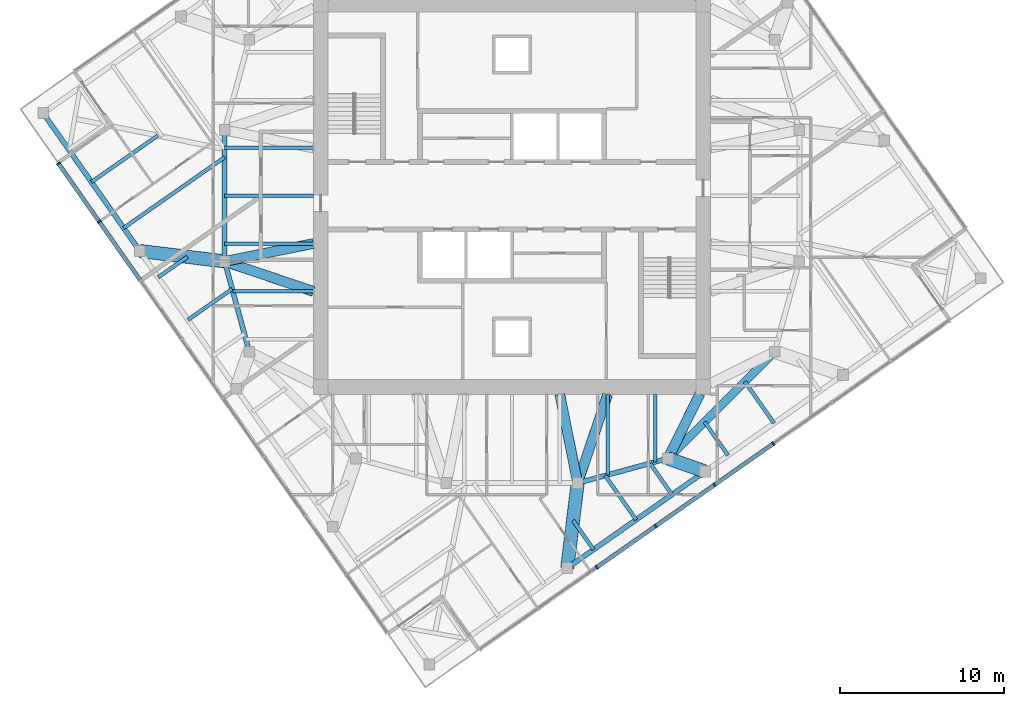
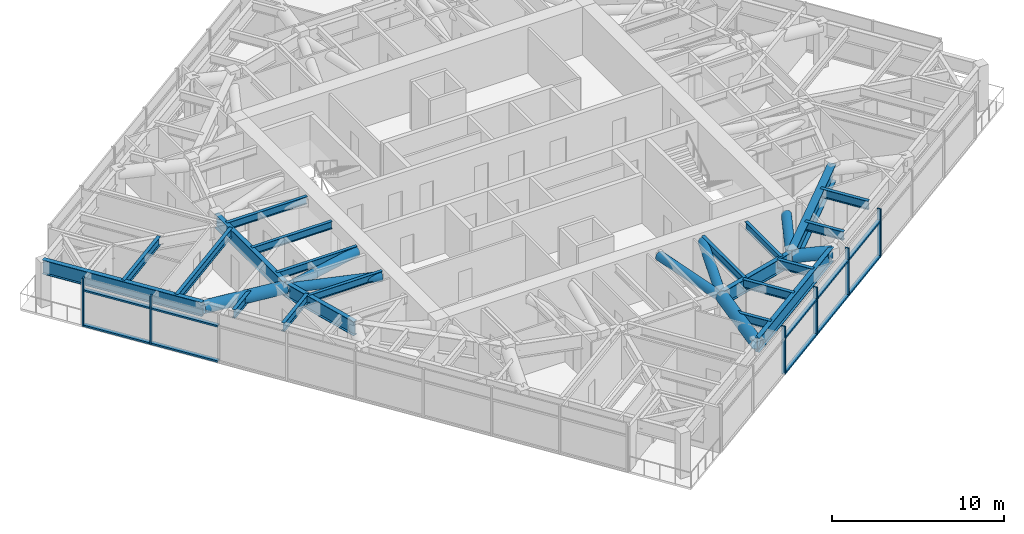
# One storey, part 3 of 15: 24 members, 21 beams, 2 elements without a shape of their own.
"""IFC4 building model written with IfcOpenShell, lengths in metres."""

from ifc_helpers import new_model, si_unit, direction, frame, origin, origin_2d, place, context, subcontext, project, spatial, rectangle, hollow_circle, i_section, extrude, material, material_profile, profile_set, type_object, element, aggregate, save


model = new_model("IFC4")

# Units and contexts
model_context = context("Model", 3, precision=1e-05, world=origin(), true_north=direction((0.0, 1.0)))
body_context = subcontext(model_context, "Body", "Model", "MODEL_VIEW")
ifc_project = project(units=[si_unit("LENGTHUNIT", "METRE"), si_unit("AREAUNIT", "SQUARE_METRE"), si_unit("VOLUMEUNIT", "CUBIC_METRE"), si_unit("PLANEANGLEUNIT", "RADIAN"), si_unit("MASSUNIT", "GRAM", prefix="KILO")], contexts=[model_context])

# Site, building, storey
site_placement = place(None, origin())
site = spatial("IfcSite", under=ifc_project, at=site_placement, CompositionType="ELEMENT")
building_placement = place(site_placement, origin())
building = spatial("IfcBuilding", under=site, at=building_placement, Name="Torsade Residences", CompositionType="ELEMENT")
storey_placement = place(building_placement, frame((0.0, 0.0, 264.199951171875)))
storey = spatial("IfcBuildingStorey", under=building, at=storey_placement, Name="L73", CompositionType="ELEMENT", Elevation=264.199951171875)

# Curtain wall, members
ifc_material_1 = material(Name="Aluminium and glass", Category="aluminium")
curtain_wall_type = type_object("IfcCurtainWallType", Name="FRITTED GLASS CURTAIN WALL HIGH ZONE", PredefinedType="NOTDEFINED", material=ifc_material_1)
curtain_wall_1_placement = place(storey_placement, origin())
curtain_wall_1 = element("IfcCurtainWall", 1, at=curtain_wall_1_placement, inside=storey, type_object=curtain_wall_type, Name="Curtain wall L73 face 1", PredefinedType="NOTDEFINED")
ifc_material_2 = material(Name="Aluminium mullion", Category="aluminium")
ifc_material_profile_1 = material_profile(ifc_material_2, rectangle(XDim=0.25, YDim=0.10009765625, at=origin_2d()), Name="HIGH ZONE CURTAIN WALL MULLION 250x100")
ifc_profile_set_1 = profile_set([ifc_material_profile_1], Name="Aluminium mullion")
member_type_1 = type_object("IfcMemberType", Name="HIGH ZONE CURTAIN WALL MULLION 250x100", PredefinedType="MULLION", material=ifc_profile_set_1)
member_1_placement = place(storey_placement, frame((45.164306640625, 7.369384765625, 0.0), z_axis=(0.0, 0.0, 1.0), x_axis=(-0.573576457682, 0.819152029353, 0.0)))
member_1 = element("IfcMember", 2, at=member_1_placement, type_object=member_type_1, Name="Mullion 3", PredefinedType="MULLION", context=body_context, shape_type="SweptSolid", body=[
    extrude(rectangle(XDim=0.25, YDim=0.10009765625, at=origin_2d()), origin(), (0.0, 0.0, 1.0), 3.400146484375),
])
member_2_placement = place(storey_placement, frame((48.748046875, 9.87890625, 0.0), z_axis=(0.0, 0.0, 1.0), x_axis=(-0.573576457682, 0.819152029353, 0.0)))
member_2 = element("IfcMember", 3, at=member_2_placement, type_object=member_type_1, Name="Mullion 4", PredefinedType="MULLION", context=body_context, shape_type="SweptSolid", body=[
    extrude(rectangle(XDim=0.25, YDim=0.10009765625, at=origin_2d()), origin(), (0.0, 0.0, 1.0), 3.400146484375),
])
member_3_placement = place(storey_placement, frame((52.331787109375, 12.38818359375, 0.0), z_axis=(0.0, 0.0, 1.0), x_axis=(-0.573576457682, 0.819152029353, 0.0)))
member_3 = element("IfcMember", 4, at=member_3_placement, type_object=member_type_1, Name="Mullion 5", PredefinedType="MULLION", context=body_context, shape_type="SweptSolid", body=[
    extrude(rectangle(XDim=0.25, YDim=0.10009765625, at=origin_2d()), origin(), (0.0, 0.0, 1.0), 3.400146484375),
])
member_4_placement = place(storey_placement, frame((55.915771484375, 14.897705078125, 0.0), z_axis=(0.0, 0.0, 1.0), x_axis=(-0.573576457682, 0.819152029353, 0.0)))
member_4 = element("IfcMember", 5, at=member_4_placement, type_object=member_type_1, Name="Mullion 6", PredefinedType="MULLION", context=body_context, shape_type="SweptSolid", body=[
    extrude(rectangle(XDim=0.25, YDim=0.10009765625, at=origin_2d()), origin(), (0.0, 0.0, 1.0), 3.400146484375),
])

curtain_wall_2_placement = place(storey_placement, origin())
curtain_wall_2 = element("IfcCurtainWall", 6, at=curtain_wall_2_placement, inside=storey, type_object=curtain_wall_type, Name="Curtain wall L73 face 10", PredefinedType="NOTDEFINED")
member_5_placement = place(storey_placement, frame((12.37939453125, 31.96240234375, 0.0), z_axis=(0.0, 0.0, 1.0), x_axis=(0.819152029353, 0.573576457682, 0.0)))
member_5 = element("IfcMember", 7, at=member_5_placement, type_object=member_type_1, Name="Mullion 1", PredefinedType="MULLION", context=body_context, shape_type="SweptSolid", body=[
    extrude(rectangle(XDim=0.25, YDim=0.10009765625, at=origin_2d()), origin(), (0.0, 0.0, 1.0), 3.400146484375),
])
member_6_placement = place(storey_placement, frame((14.860107421875, 28.41943359375, 0.0), z_axis=(0.0, 0.0, 1.0), x_axis=(0.819152029353, 0.573576457682, 0.0)))
member_6 = element("IfcMember", 8, at=member_6_placement, type_object=member_type_1, Name="Mullion 2", PredefinedType="MULLION", context=body_context, shape_type="SweptSolid", body=[
    extrude(rectangle(XDim=0.25, YDim=0.10009765625, at=origin_2d()), origin(), (0.0, 0.0, 1.0), 3.400146484375),
])

# Member
ifc_material_3 = material(Name="Aluminium transom", Category="aluminium")
ifc_material_profile_2 = material_profile(ifc_material_3, rectangle(XDim=0.25, YDim=0.1201171875, at=origin_2d()), Name="HIGH ZONE CURTAIN WALL TRANSOM 250x120")
ifc_profile_set_2 = profile_set([ifc_material_profile_2], Name="Aluminium transom")
member_type_2 = type_object("IfcMemberType", Name="HIGH ZONE CURTAIN WALL TRANSOM 250x120", PredefinedType="USERDEFINED", material=ifc_profile_set_2)
member_7_placement = place(storey_placement, frame((45.205322265625, 7.398193359375, 0.06005859375), z_axis=(0.819154102984, 0.573573496219, 0.0), x_axis=(-0.573573496219, 0.819154102984, 0.0)))
member_7 = element("IfcMember", 9, at=member_7_placement, type_object=member_type_2, Name="Transom 3.1", ObjectType="TRANSOM", PredefinedType="USERDEFINED", context=body_context, shape_type="SweptSolid", body=[
    extrude(rectangle(XDim=0.25, YDim=0.1201171875, at=origin_2d()), origin(), (0.0, 0.0, 1.0), 4.27490234375),
])

member_8_placement = place(storey_placement, frame((45.205322265625, 7.398193359375, 2.56005859375), z_axis=(0.819154102984, 0.573573496219, 0.0), x_axis=(-0.573573496219, 0.819154102984, 0.0)))
member_8 = element("IfcMember", 10, at=member_8_placement, type_object=member_type_2, Name="Transom 3.2", ObjectType="TRANSOM", PredefinedType="USERDEFINED", context=body_context, shape_type="SweptSolid", body=[
    extrude(rectangle(XDim=0.25, YDim=0.1201171875, at=origin_2d()), origin(), (0.0, 0.0, 1.0), 4.27490234375),
])

member_9_placement = place(storey_placement, frame((48.7890625, 9.907470703125, 0.06005859375), z_axis=(0.819146058863, 0.57358498433, 0.0), x_axis=(-0.57358498433, 0.819146058863, 0.0)))
member_9 = element("IfcMember", 11, at=member_9_placement, type_object=member_type_2, Name="Transom 4.1", ObjectType="TRANSOM", PredefinedType="USERDEFINED", context=body_context, shape_type="SweptSolid", body=[
    extrude(rectangle(XDim=0.25, YDim=0.1201171875, at=origin_2d()), origin(), (0.0, 0.0, 1.0), 4.275146484375),
])

member_10_placement = place(storey_placement, frame((48.7890625, 9.907470703125, 2.56005859375), z_axis=(0.819146058863, 0.57358498433, 0.0), x_axis=(-0.57358498433, 0.819146058863, 0.0)))
member_10 = element("IfcMember", 12, at=member_10_placement, type_object=member_type_2, Name="Transom 4.2", ObjectType="TRANSOM", PredefinedType="USERDEFINED", context=body_context, shape_type="SweptSolid", body=[
    extrude(rectangle(XDim=0.25, YDim=0.1201171875, at=origin_2d()), origin(), (0.0, 0.0, 1.0), 4.275146484375),
])

member_11_placement = place(storey_placement, frame((52.372802734375, 12.4169921875, 0.06005859375), z_axis=(0.81917289067, 0.573546663483, 0.0), x_axis=(-0.573546663483, 0.81917289067, 0.0)))
member_11 = element("IfcMember", 13, at=member_11_placement, type_object=member_type_2, Name="Transom 5.1", ObjectType="TRANSOM", PredefinedType="USERDEFINED", context=body_context, shape_type="SweptSolid", body=[
    extrude(rectangle(XDim=0.25, YDim=0.1201171875, at=origin_2d()), origin(), (0.0, 0.0, 1.0), 4.27490234375),
])

member_12_placement = place(storey_placement, frame((52.372802734375, 12.4169921875, 2.56005859375), z_axis=(0.81917289067, 0.573546663483, 0.0), x_axis=(-0.573546663483, 0.81917289067, 0.0)))
member_12 = element("IfcMember", 14, at=member_12_placement, type_object=member_type_2, Name="Transom 5.2", ObjectType="TRANSOM", PredefinedType="USERDEFINED", context=body_context, shape_type="SweptSolid", body=[
    extrude(rectangle(XDim=0.25, YDim=0.1201171875, at=origin_2d()), origin(), (0.0, 0.0, 1.0), 4.27490234375),
])

aggregate(curtain_wall_1, [member_1, member_2, member_3, member_4, member_7, member_8, member_9, member_10, member_11, member_12])

member_13_placement = place(storey_placement, frame((12.407958984375, 31.92138671875, 0.06005859375), z_axis=(0.573570928023, -0.819155901234, 0.0), x_axis=(0.819155901234, 0.573570928023, 0.0)))
member_13 = element("IfcMember", 15, at=member_13_placement, type_object=member_type_2, Name="Transom 1.1", ObjectType="TRANSOM", PredefinedType="USERDEFINED", context=body_context, shape_type="SweptSolid", body=[
    extrude(rectangle(XDim=0.25, YDim=0.1201171875, at=origin_2d()), origin(), (0.0, 0.0, 1.0), 4.22509765625),
])

member_14_placement = place(storey_placement, frame((12.407958984375, 31.92138671875, 2.56005859375), z_axis=(0.573570928023, -0.819155901234, 0.0), x_axis=(0.819155901234, 0.573570928023, 0.0)))
member_14 = element("IfcMember", 16, at=member_14_placement, type_object=member_type_2, Name="Transom 1.2", ObjectType="TRANSOM", PredefinedType="USERDEFINED", context=body_context, shape_type="SweptSolid", body=[
    extrude(rectangle(XDim=0.25, YDim=0.1201171875, at=origin_2d()), origin(), (0.0, 0.0, 1.0), 4.22509765625),
])

member_15_placement = place(storey_placement, frame((14.888671875, 28.37841796875, 0.06005859375), z_axis=(0.573611817101, -0.819127269283, 0.0), x_axis=(0.819127269283, 0.573611817101, 0.0)))
member_15 = element("IfcMember", 17, at=member_15_placement, type_object=member_type_2, Name="Transom 2.1", ObjectType="TRANSOM", PredefinedType="USERDEFINED", context=body_context, shape_type="SweptSolid", body=[
    extrude(rectangle(XDim=0.25, YDim=0.1201171875, at=origin_2d()), origin(), (0.0, 0.0, 1.0), 4.27490234375),
])

member_16_placement = place(storey_placement, frame((14.888671875, 28.37841796875, 2.56005859375), z_axis=(0.573611817101, -0.819127269283, 0.0), x_axis=(0.819127269283, 0.573611817101, 0.0)))
member_16 = element("IfcMember", 18, at=member_16_placement, type_object=member_type_2, Name="Transom 2.2", ObjectType="TRANSOM", PredefinedType="USERDEFINED", context=body_context, shape_type="SweptSolid", body=[
    extrude(rectangle(XDim=0.25, YDim=0.1201171875, at=origin_2d()), origin(), (0.0, 0.0, 1.0), 4.27490234375),
])

aggregate(curtain_wall_2, [member_5, member_6, member_13, member_14, member_15, member_16])

# Beams
ifc_material_4 = material(Name="Steel grade 300", Category="steel")
ifc_material_profile_3 = material_profile(ifc_material_4, i_section(OverallWidth=0.208984375, OverallDepth=0.528076171875, WebThickness=0.009521484375, FlangeThickness=0.01318359375, FilletRadius=0.013916015625, at=origin_2d()), Name="530UB82.0")
ifc_profile_set_3 = profile_set([ifc_material_profile_3], Name="Steel grade 300")
beam_type_1 = type_object("IfcBeamType", Name="INNER FLOOR BEAM 530UB82.0", PredefinedType="JOIST", material=ifc_profile_set_3)
beam_1_placement = place(storey_placement, frame((48.737548828125, 17.89990234375, 2.93603515625), z_axis=(0.0, -1.0, 0.0), x_axis=(1.0, 0.0, 0.0)))
element("IfcBeam", 19, at=beam_1_placement, inside=storey, type_object=beam_type_1, Name="Inner floor beam IS01 L74", PredefinedType="JOIST", context=body_context, shape_type="SweptSolid", body=[
    extrude(i_section(OverallWidth=0.208984375, OverallDepth=0.528076171875, WebThickness=0.009521484375, FlangeThickness=0.01318359375, FilletRadius=0.013916015625, at=origin_2d()), origin(), (0.0, 0.0, 1.0), 4.10791015625),
])
beam_2_placement = place(storey_placement, frame((45.824951171875, 17.89990234375, 2.93603515625), z_axis=(0.0, -1.0, 0.0), x_axis=(1.0, 0.0, 0.0)))
element("IfcBeam", 20, at=beam_2_placement, inside=storey, type_object=beam_type_1, Name="Inner floor beam IS02 L74", PredefinedType="JOIST", context=body_context, shape_type="SweptSolid", body=[
    extrude(i_section(OverallWidth=0.208984375, OverallDepth=0.528076171875, WebThickness=0.009521484375, FlangeThickness=0.01318359375, FilletRadius=0.013916015625, at=origin_2d()), origin(), (0.0, 0.0, 1.0), 4.902099609375),
])
for number, where, z_axis, x_axis, name in (
    (21, (27.89990234375, 32.91259765625, 2.93603515625), (-1.0, 0.0, 0.0), (0.0, -1.0, 0.0), "Inner floor beam IW03 L74"),
    (22, (27.89990234375, 30.0, 2.93603515625), (-1.0, 0.0, 0.0), (0.0, -1.0, 0.0), "Inner floor beam IW04 L74"),
    (23, (27.89990234375, 27.08740234375, 2.93603515625), (-1.0, 0.0, 0.0), (0.0, -1.0, 0.0), "Inner floor beam IW05 L74"),
):
    element("IfcBeam", number, at=place(storey_placement, frame(where, z_axis=z_axis, x_axis=x_axis)), inside=storey, type_object=beam_type_1, Name=name, PredefinedType="JOIST", context=body_context, shape_type="SweptSolid", body=[
        extrude(i_section(OverallWidth=0.208984375, OverallDepth=0.528076171875, WebThickness=0.009521484375, FlangeThickness=0.01318359375, FilletRadius=0.013916015625, at=origin_2d()), origin(), (0.0, 0.0, 1.0), 5.39990234375),
    ])
beam_3_placement = place(storey_placement, frame((27.89990234375, 24.175048828125, 2.93603515625), z_axis=(-1.0, 0.0, 0.0), x_axis=(0.0, -1.0, 0.0)))
element("IfcBeam", 24, at=beam_3_placement, inside=storey, type_object=beam_type_1, Name="Inner floor beam IW06 L74", PredefinedType="JOIST", context=body_context, shape_type="SweptSolid", body=[
    extrude(i_section(OverallWidth=0.208984375, OverallDepth=0.528076171875, WebThickness=0.009521484375, FlangeThickness=0.01318359375, FilletRadius=0.013916015625, at=origin_2d()), origin(), (0.0, 0.0, 1.0), 4.902099609375),
])
ifc_material_5 = material(Name="Steel grade 300", Category="steel")
ifc_material_profile_4 = material_profile(ifc_material_5, i_section(OverallWidth=0.5, OverallDepth=1.199951171875, WebThickness=0.01611328125, FlangeThickness=0.0400390625, at=origin_2d()), Name="1200WB455")
ifc_profile_set_4 = profile_set([ifc_material_profile_4], Name="Steel grade 300")
beam_type_2 = type_object("IfcBeamType", Name="RING CORNER GIRDER 1200WB455", PredefinedType="BEAM", material=ifc_profile_set_4)
beam_4_placement = place(storey_placement, frame((49.5, 14.0, 2.60009765625), z_axis=(0.707106781187, 0.707106781187, 0.0), x_axis=(-0.707106781187, 0.707106781187, 0.0)))
element("IfcBeam", 25, at=beam_4_placement, inside=storey, type_object=beam_type_2, Name="Ring girder IR15 L74", PredefinedType="BEAM", context=body_context, shape_type="SweptSolid", body=[
    extrude(i_section(OverallWidth=0.5, OverallDepth=1.199951171875, WebThickness=0.01611328125, FlangeThickness=0.0400390625, at=origin_2d()), origin(), (0.0, 0.0, 1.0), 9.1923828125),
])
ifc_material_6 = material(Name="Steel grade 300", Category="steel")
ifc_material_profile_5 = material_profile(ifc_material_6, i_section(OverallWidth=0.300048828125, OverallDepth=1.0, WebThickness=0.01611328125, FlangeThickness=0.028076171875, at=origin_2d()), Name="1000WB215")
ifc_profile_set_5 = profile_set([ifc_material_profile_5], Name="Steel grade 300")
beam_type_3 = type_object("IfcBeamType", Name="RING GIRDER 1000WB215", PredefinedType="BEAM", material=ifc_profile_set_5)
beam_5_placement = place(storey_placement, frame((22.5, 34.0, 2.699951171875), z_axis=(0.0, -1.0, 0.0), x_axis=(1.0, 0.0, 0.0)))
element("IfcBeam", 26, at=beam_5_placement, inside=storey, type_object=beam_type_3, Name="Ring girder IR09 L74", PredefinedType="BEAM", context=body_context, shape_type="SweptSolid", body=[
    extrude(i_section(OverallWidth=0.300048828125, OverallDepth=1.0, WebThickness=0.01611328125, FlangeThickness=0.028076171875, at=origin_2d()), origin(), (0.0, 0.0, 1.0), 8.0),
])
for number, where, z_axis, x_axis, name in (
    (27, (22.5, 26.0, 2.699951171875), (0.263117405792, -0.964763821238, 0.0), (0.964763821238, 0.263117405792, 0.0), "Ring girder IR10 L74"),
    (28, (44.0, 12.5, 2.699951171875), (0.964763821238, 0.263117405792, 0.0), (-0.263117405792, 0.964763821238, 0.0), "Ring girder IR14 L74"),
):
    element("IfcBeam", number, at=place(storey_placement, frame(where, z_axis=z_axis, x_axis=x_axis)), inside=storey, type_object=beam_type_3, Name=name, PredefinedType="BEAM", context=body_context, shape_type="SweptSolid", body=[
        extrude(i_section(OverallWidth=0.300048828125, OverallDepth=1.0, WebThickness=0.01611328125, FlangeThickness=0.028076171875, at=origin_2d()), origin(), (0.0, 0.0, 1.0), 5.700927734375),
    ])
ifc_material_7 = material(Name="Steel grade 300", Category="steel")
ifc_material_profile_6 = material_profile(ifc_material_7, i_section(OverallWidth=0.22900390625, OverallDepth=0.612060546875, WebThickness=0.011962890625, FlangeThickness=0.01953125, FilletRadius=0.013916015625, at=origin_2d()), Name="610UB125")
ifc_profile_set_6 = profile_set([ifc_material_profile_6], Name="Steel grade 300")
beam_type_4 = type_object("IfcBeamType", Name="SECONDARY BEAM 610UB125", PredefinedType="JOIST", material=ifc_profile_set_6)
beam_6_placement = place(storey_placement, frame((44.966064453125, 8.451416015625, 2.89404296875), z_axis=(-0.573515142828, 0.819194959058, 0.0), x_axis=(-0.819194959058, -0.573515142828, 0.0)))
element("IfcBeam", 29, at=beam_6_placement, inside=storey, type_object=beam_type_4, Name="Floor beam FS04 L74", PredefinedType="JOIST", context=body_context, shape_type="SweptSolid", body=[
    extrude(i_section(OverallWidth=0.22900390625, OverallDepth=0.612060546875, WebThickness=0.011962890625, FlangeThickness=0.01953125, FilletRadius=0.013916015625, at=origin_2d()), origin(), (0.0, 0.0, 1.0), 2.17236328125),
])
beam_7_placement = place(storey_placement, frame((47.56005859375, 10.267822265625, 2.89404296875), z_axis=(-0.573552173902, 0.819169032504, 0.0), x_axis=(-0.819169032504, -0.573552173902, 0.0)))
element("IfcBeam", 30, at=beam_7_placement, inside=storey, type_object=beam_type_4, Name="Floor beam FS05 L74", PredefinedType="JOIST", context=body_context, shape_type="SweptSolid", body=[
    extrude(i_section(OverallWidth=0.22900390625, OverallDepth=0.612060546875, WebThickness=0.011962890625, FlangeThickness=0.01953125, FilletRadius=0.013916015625, at=origin_2d()), origin(), (0.0, 0.0, 1.0), 3.283203125),
])
beam_8_placement = place(storey_placement, frame((49.74462890625, 11.79736328125, 2.89404296875), z_axis=(-0.573567996949, 0.819157953557, 0.0), x_axis=(-0.819157953557, -0.573567996949, 0.0)))
element("IfcBeam", 31, at=beam_8_placement, inside=storey, type_object=beam_type_4, Name="Floor beam FS06 L74", PredefinedType="JOIST", context=body_context, shape_type="SweptSolid", body=[
    extrude(i_section(OverallWidth=0.22900390625, OverallDepth=0.612060546875, WebThickness=0.011962890625, FlangeThickness=0.01953125, FilletRadius=0.013916015625, at=origin_2d()), origin(), (0.0, 0.0, 1.0), 2.326171875),
])
beam_9_placement = place(storey_placement, frame((53.15771484375, 14.187255859375, 2.89404296875), z_axis=(-0.573547823109, 0.819172078752, 0.0), x_axis=(-0.819172078752, -0.573547823109, 0.0)))
element("IfcBeam", 32, at=beam_9_placement, inside=storey, type_object=beam_type_4, Name="Floor beam FS07 L74", PredefinedType="JOIST", context=body_context, shape_type="SweptSolid", body=[
    extrude(i_section(OverallWidth=0.22900390625, OverallDepth=0.612060546875, WebThickness=0.011962890625, FlangeThickness=0.01953125, FilletRadius=0.013916015625, at=origin_2d()), origin(), (0.0, 0.0, 1.0), 2.491943359375),
])
beam_10_placement = place(storey_placement, frame((55.95654296875, 16.14697265625, 2.89404296875), z_axis=(-0.573600013401, 0.819135534955, 0.0), x_axis=(-0.819135534955, -0.573600013401, 0.0)))
element("IfcBeam", 33, at=beam_10_placement, inside=storey, type_object=beam_type_4, Name="Floor beam FS08 L74", PredefinedType="JOIST", context=body_context, shape_type="SweptSolid", body=[
    extrude(i_section(OverallWidth=0.22900390625, OverallDepth=0.612060546875, WebThickness=0.011962890625, FlangeThickness=0.01953125, FilletRadius=0.013916015625, at=origin_2d()), origin(), (0.0, 0.0, 1.0), 3.09423828125),
])
beam_11_placement = place(storey_placement, frame((14.388671875, 30.836181640625, 2.89404296875), z_axis=(0.819152843027, 0.573575295634, 0.0), x_axis=(-0.573575295634, 0.819152843027, 0.0)))
element("IfcBeam", 34, at=beam_11_placement, inside=storey, type_object=beam_type_4, Name="Floor beam FW02 L74", PredefinedType="JOIST", context=body_context, shape_type="SweptSolid", body=[
    extrude(i_section(OverallWidth=0.22900390625, OverallDepth=0.612060546875, WebThickness=0.011962890625, FlangeThickness=0.01953125, FilletRadius=0.013916015625, at=origin_2d()), origin(), (0.0, 0.0, 1.0), 4.931884765625),
])
beam_12_placement = place(storey_placement, frame((16.348388671875, 28.037353515625, 2.89404296875), z_axis=(0.819154019917, 0.573573614851, 0.0), x_axis=(-0.573573614851, 0.819154019917, 0.0)))
element("IfcBeam", 35, at=beam_12_placement, inside=storey, type_object=beam_type_4, Name="Floor beam FW03 L74", PredefinedType="JOIST", context=body_context, shape_type="SweptSolid", body=[
    extrude(i_section(OverallWidth=0.22900390625, OverallDepth=0.612060546875, WebThickness=0.011962890625, FlangeThickness=0.01953125, FilletRadius=0.013916015625, at=origin_2d()), origin(), (0.0, 0.0, 1.0), 7.509765625),
])
beam_13_placement = place(storey_placement, frame((18.451416015625, 25.033935546875, 2.89404296875), z_axis=(0.819194959058, 0.573515142828, 0.0), x_axis=(-0.573515142828, 0.819194959058, 0.0)))
element("IfcBeam", 36, at=beam_13_placement, inside=storey, type_object=beam_type_4, Name="Floor beam FW04 L74", PredefinedType="JOIST", context=body_context, shape_type="SweptSolid", body=[
    extrude(i_section(OverallWidth=0.22900390625, OverallDepth=0.612060546875, WebThickness=0.011962890625, FlangeThickness=0.01953125, FilletRadius=0.013916015625, at=origin_2d()), origin(), (0.0, 0.0, 1.0), 2.17236328125),
])
beam_14_placement = place(storey_placement, frame((20.267822265625, 22.43994140625, 2.89404296875), z_axis=(0.819169032504, 0.573552173902, 0.0), x_axis=(-0.573552173902, 0.819169032504, 0.0)))
element("IfcBeam", 37, at=beam_14_placement, inside=storey, type_object=beam_type_4, Name="Floor beam FW05 L74", PredefinedType="JOIST", context=body_context, shape_type="SweptSolid", body=[
    extrude(i_section(OverallWidth=0.22900390625, OverallDepth=0.612060546875, WebThickness=0.011962890625, FlangeThickness=0.01953125, FilletRadius=0.013916015625, at=origin_2d()), origin(), (0.0, 0.0, 1.0), 3.283203125),
])

# Members
ifc_material_8 = material(Name="Steel grade 450", Category="steel")
ifc_material_profile_7 = material_profile(ifc_material_8, hollow_circle(Radius=0.304931640625, WallThickness=0.01611328125, at=origin_2d()), Name="610.0x16.0CHS")
ifc_profile_set_7 = profile_set([ifc_material_profile_7], Name="Steel grade 450")
member_type_3 = type_object("IfcMemberType", Name="TRANSFER FLOOR BRACE 610.0x16.0CHS", PredefinedType="BRACE", material=ifc_profile_set_7)
member_17_placement = place(storey_placement, frame((22.5, 26.0, 2.699951171875), z_axis=(0.980200740375, 0.197387381211, 0.015643858457), x_axis=(-0.197411538983, 0.980320704809, 0.0)))
element("IfcMember", 38, at=member_17_placement, inside=storey, type_object=member_type_3, Name="Transfer floor brace TT8 bottom IR10IW05", PredefinedType="BRACE", context=body_context, shape_type="SweptSolid", body=[
    extrude(hollow_circle(Radius=0.304931640625, WallThickness=0.01611328125, at=origin_2d()), origin(), (0.0, 0.0, 1.0), 5.509033203125),
])
member_18_placement = place(storey_placement, frame((22.5, 26.0, 2.699951171875), z_axis=(0.947251883503, -0.320133277384, 0.015117999588), x_axis=(0.320169867513, 0.947360151124, 0.0)))
element("IfcMember", 39, at=member_18_placement, inside=storey, type_object=member_type_3, Name="Transfer floor brace TT8 bottom IR10IW06", PredefinedType="BRACE", context=body_context, shape_type="SweptSolid", body=[
    extrude(hollow_circle(Radius=0.304931640625, WallThickness=0.01611328125, at=origin_2d()), origin(), (0.0, 0.0, 1.0), 5.70068359375),
])
member_19_placement = place(storey_placement, frame((44.0, 12.5, 2.699951171875), z_axis=(-0.197387381211, 0.980200740375, 0.015643858457), x_axis=(-0.980320704809, -0.197411538983, 0.0)))
element("IfcMember", 40, at=member_19_placement, inside=storey, type_object=member_type_3, Name="Transfer floor brace TT8 bottom IR14IS03", PredefinedType="BRACE", context=body_context, shape_type="SweptSolid", body=[
    extrude(hollow_circle(Radius=0.304931640625, WallThickness=0.01611328125, at=origin_2d()), origin(), (0.0, 0.0, 1.0), 5.509033203125),
])
member_20_placement = place(storey_placement, frame((44.0, 12.5, 2.699951171875), z_axis=(0.320133277384, 0.947251883503, 0.015117999588), x_axis=(-0.947360151124, 0.320169867513, 0.0)))
element("IfcMember", 41, at=member_20_placement, inside=storey, type_object=member_type_3, Name="Transfer floor brace TT8 bottom IR14IS02", PredefinedType="BRACE", context=body_context, shape_type="SweptSolid", body=[
    extrude(hollow_circle(Radius=0.304931640625, WallThickness=0.01611328125, at=origin_2d()), origin(), (0.0, 0.0, 1.0), 5.70068359375),
])
member_21_placement = place(storey_placement, frame((49.5, 14.0, 2.699951171875), z_axis=(0.443105036702, 0.896469701914, 0.0), x_axis=(-0.896469701914, 0.443105036702, 0.0)))
element("IfcMember", 42, at=member_21_placement, inside=storey, type_object=member_type_3, Name="Transfer floor brace TT8 bottom IR15C", PredefinedType="BRACE", context=body_context, shape_type="SweptSolid", body=[
    extrude(hollow_circle(Radius=0.304931640625, WallThickness=0.01611328125, at=origin_2d()), origin(), (0.0, 0.0, 1.0), 4.40234375),
])
ifc_material_9 = material(Name="Steel grade 450", Category="steel")
ifc_material_profile_8 = material_profile(ifc_material_9, hollow_circle(Radius=0.406494140625, WallThickness=0.02490234375, at=origin_2d()), Name="813.0x25.0CHS")
ifc_profile_set_8 = profile_set([ifc_material_profile_8], Name="Steel grade 450")
member_type_4 = type_object("IfcMemberType", Name="TRANSFER FLOOR STRUT 813.0x25.0CHS", PredefinedType="STRUT", material=ifc_profile_set_8)
member_22_placement = place(storey_placement, frame((43.362060546875, 7.328125, 2.798583984375), z_axis=(0.122420034342, 0.992478380214, 0.0), x_axis=(-0.992478380214, 0.122420034342, 0.0)))
element("IfcMember", 43, at=member_22_placement, inside=storey, type_object=member_type_4, Name="Transfer floor strut TT8 bottom 02IR14", PredefinedType="STRUT", context=body_context, shape_type="SweptSolid", body=[
    extrude(hollow_circle(Radius=0.406494140625, WallThickness=0.02490234375, at=origin_2d()), origin(), (0.0, 0.0, 1.0), 5.211181640625),
])
member_23_placement = place(storey_placement, frame((51.75830078125, 13.207275390625, 2.798583984375), z_axis=(-0.943555805599, 0.331213589274, 0.0), x_axis=(-0.331213589274, -0.943555805599, 0.0)))
element("IfcMember", 44, at=member_23_placement, inside=storey, type_object=member_type_4, Name="Transfer floor strut TT8 bottom 03IR15", PredefinedType="STRUT", context=body_context, shape_type="SweptSolid", body=[
    extrude(hollow_circle(Radius=0.406494140625, WallThickness=0.02490234375, at=origin_2d()), origin(), (0.0, 0.0, 1.0), 2.393310546875),
])
member_24_placement = place(storey_placement, frame((17.328125, 26.637939453125, 2.798583984375), z_axis=(0.992478380214, -0.122420034342, 0.0), x_axis=(0.122420034342, 0.992478380214, 0.0)))
element("IfcMember", 45, at=member_24_placement, inside=storey, type_object=member_type_4, Name="Transfer floor strut TT8 bottom 14IR10", PredefinedType="STRUT", context=body_context, shape_type="SweptSolid", body=[
    extrude(hollow_circle(Radius=0.406494140625, WallThickness=0.02490234375, at=origin_2d()), origin(), (0.0, 0.0, 1.0), 5.211181640625),
])

# Beams
ifc_material_10 = material(Name="Steel grade 300", Category="steel")
ifc_material_profile_9 = material_profile(ifc_material_10, i_section(OverallWidth=0.300048828125, OverallDepth=1.0, WebThickness=0.01611328125, FlangeThickness=0.028076171875, at=origin_2d()), Name="1000WB215")
ifc_profile_set_9 = profile_set([ifc_material_profile_9], Name="Steel grade 300")
beam_type_5 = type_object("IfcBeamType", Name="TRANSFER TRUSS CHORD 1000WB215", PredefinedType="USERDEFINED", material=ifc_profile_set_9)
for number, where, z_axis, x_axis, name in (
    (46, (43.362060546875, 7.328125, 2.699951171875), (0.819150225126, 0.573579034377, 0.0), (-0.573579034377, 0.819150225126, 0.0), "Transfer truss TT8 bottom chord 02"),
    (47, (11.448974609375, 35.0341796875, 2.699951171875), (0.573579034377, -0.819150225126, 0.0), (0.819150225126, 0.573579034377, 0.0), "Transfer truss TT8 bottom chord 13"),
):
    element("IfcBeam", number, at=place(storey_placement, frame(where, z_axis=z_axis, x_axis=x_axis)), inside=storey, type_object=beam_type_5, Name=name, ObjectType="TRANSFER TRUSS CHORD", PredefinedType="USERDEFINED", context=body_context, shape_type="SweptSolid", body=[
        extrude(i_section(OverallWidth=0.300048828125, OverallDepth=1.0, WebThickness=0.01611328125, FlangeThickness=0.028076171875, at=origin_2d()), origin(), (0.0, 0.0, 1.0), 10.25),
    ])

save(model, "model.ifc")
